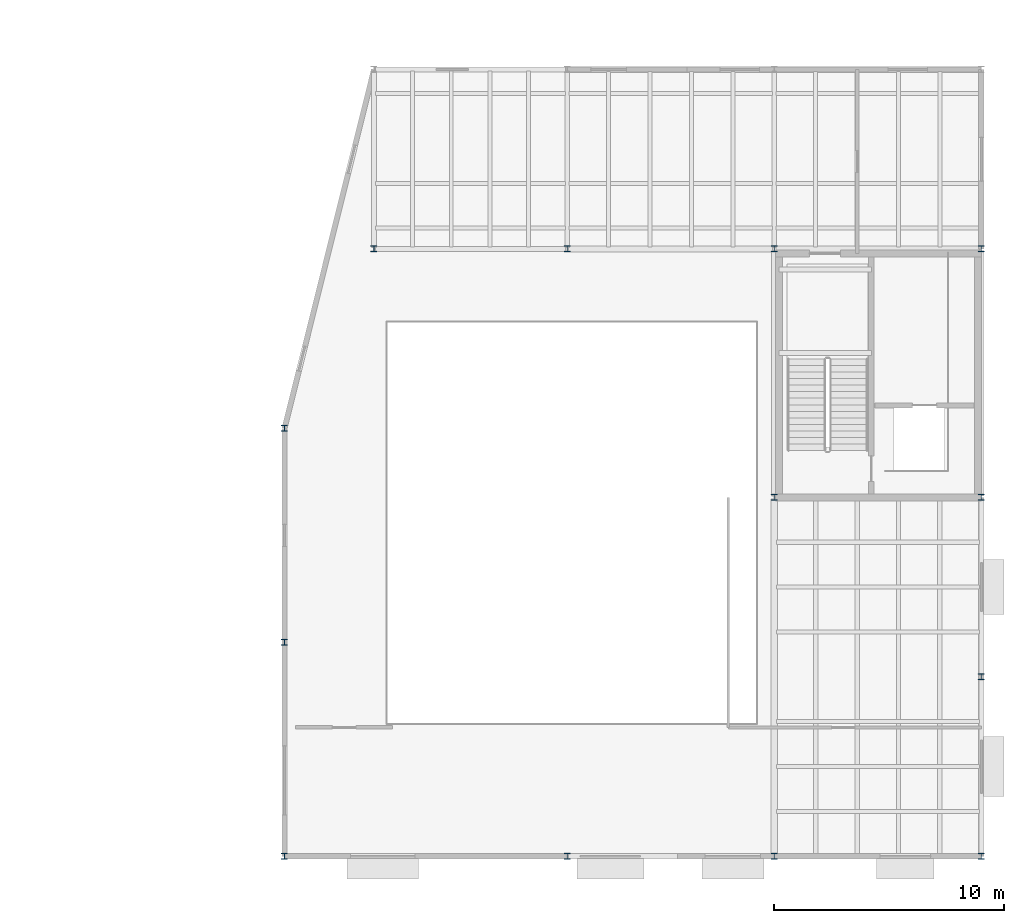
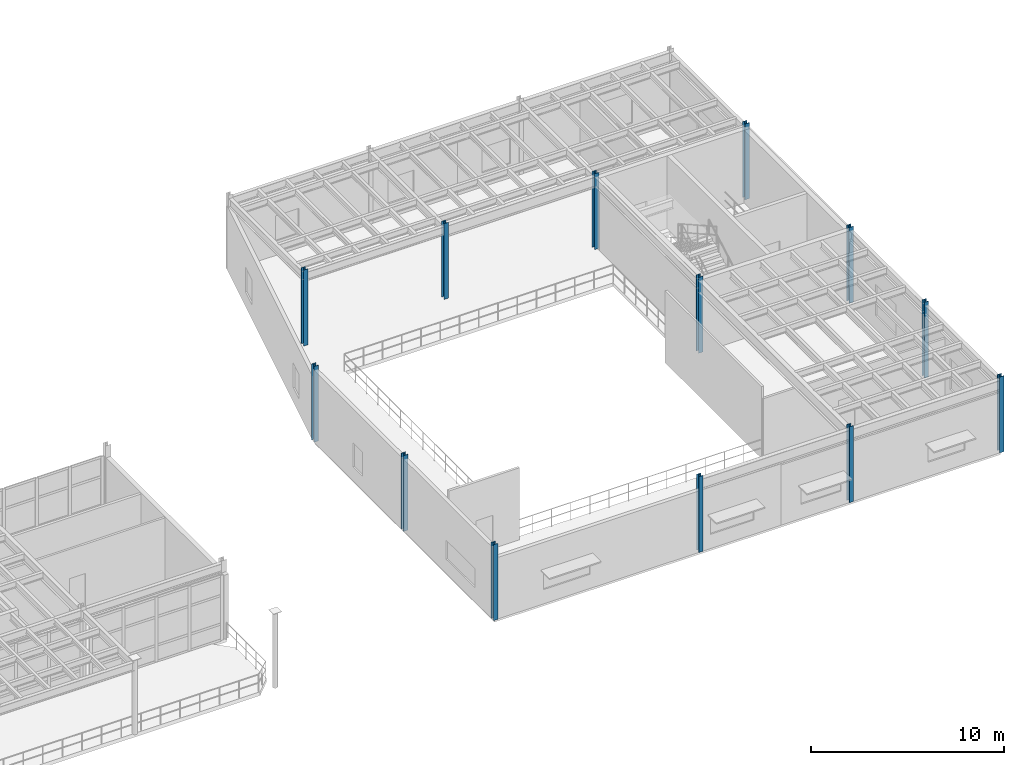
# One storey, part 14 of 105: 13 columns.
"""IFC4 building model written with IfcOpenShell, lengths in metres."""

from ifc_helpers import new_model, si_unit, direction, frame, origin, origin_2d, place, context, subcontext, project, spatial, i_section, extrude, material, material_profile, profile_set, type_object, element, save


model = new_model("IFC4")

# Units and contexts
model_context = context("Model", 3, precision=1e-05, world=origin(), true_north=direction((0.0, 1.0)))
body_context = subcontext(model_context, "Body", "Model", "MODEL_VIEW")
ifc_project = project(units=[si_unit("LENGTHUNIT", "METRE"), si_unit("AREAUNIT", "SQUARE_METRE"), si_unit("VOLUMEUNIT", "CUBIC_METRE"), si_unit("PLANEANGLEUNIT", "RADIAN"), si_unit("MASSUNIT", "GRAM", prefix="KILO")], contexts=[model_context])

# Site, building, storey
site_placement = place(None, origin())
site = spatial("IfcSite", under=ifc_project, at=site_placement, CompositionType="ELEMENT")
building_placement = place(site_placement, origin())
building = spatial("IfcBuilding", under=site, at=building_placement, Name="Selat Folded Stagehouse", CompositionType="ELEMENT")
storey_placement = place(building_placement, frame((0.0, 0.0, 10.199951171875)))
storey = spatial("IfcBuildingStorey", under=building, at=storey_placement, Name="L02", CompositionType="ELEMENT", Elevation=10.199951171875)

# Columns
ifc_material = material(Name="Steel S355", Category="steel")
ifc_material_profile = material_profile(ifc_material, i_section(OverallWidth=0.2587890625, OverallDepth=0.2666015625, WebThickness=0.0126953125, FlangeThickness=0.0205078125, FilletRadius=0.0126953125, at=origin_2d()), Name="UKC 254x254x107")
ifc_profile_set = profile_set([ifc_material_profile], Name="Steel S355")
column_type = type_object("IfcColumnType", Name="COL-UKC-254x254x107", PredefinedType="COLUMN", material=ifc_profile_set)
for number, where, z_axis, x_axis, name in (
    (1, (130.510498046875, 0.0, 0.0), (0.0, 0.0, 1.0), (1.0, 0.0, 0.0), "L02 column STK-V3-00"),
    (2, (130.510498046875, 9.300048828125, 0.0), (0.0, 0.0, 1.0), (1.0, 0.0, 0.0), "L02 column STK-V3-01"),
    (3, (130.510498046875, 18.60009765625, 0.0), (0.0, 0.0, 1.0), (1.0, 0.0, 0.0), "L02 column STK-V3-02"),
    (4, (134.39990234375, 26.39990234375, 0.0), (0.0, 0.0, 1.0), (1.0, 0.0, 0.0), "L02 column STK-V3-03"),
    (5, (142.800048828125, 0.0, 0.0), (0.0, 0.0, 1.0), (1.0, 0.0, 0.0), "L02 column STK-V3-05"),
    (6, (142.800048828125, 26.39990234375, 0.0), (0.0, 0.0, 1.0), (1.0, 0.0, 0.0), "L02 column STK-V3-06"),
    (7, (151.800048828125, 0.0, 0.0), (0.0, 0.0, 1.0), (1.0, 0.0, 0.0), "L02 column STK-V3-08"),
    (8, (151.800048828125, 15.60009765625, 0.0), (0.0, 0.0, 1.0), (1.0, 0.0, 0.0), "L02 column STK-V3-09"),
    (9, (151.800048828125, 26.39990234375, 0.0), (0.0, 0.0, 1.0), (1.0, 0.0, 0.0), "L02 column STK-V3-10"),
    (10, (160.800048828125, 0.0, 0.0), (0.0, 0.0, 1.0), (1.0, 0.0, 0.0), "L02 column STK-V3-12"),
    (11, (160.800048828125, 7.800048828125, 0.0), (0.0, 0.0, 1.0), (1.0, 0.0, 0.0), "L02 column STK-V3-13"),
    (12, (160.800048828125, 15.60009765625, 0.0), (0.0, 0.0, 1.0), (1.0, 0.0, 0.0), "L02 column STK-V3-14"),
    (13, (160.800048828125, 26.39990234375, 0.0), (0.0, 0.0, 1.0), (1.0, 0.0, 0.0), "L02 column STK-V3-15"),
):
    element("IfcColumn", number, at=place(storey_placement, frame(where, z_axis=z_axis, x_axis=x_axis)), inside=storey, type_object=column_type, Name=name, PredefinedType="COLUMN", context=body_context, shape_type="SweptSolid", body=[
        extrude(i_section(OverallWidth=0.2587890625, OverallDepth=0.2666015625, WebThickness=0.0126953125, FlangeThickness=0.0205078125, FilletRadius=0.0126953125, at=origin_2d()), origin(), (0.0, 0.0, 1.0), 4.800048828125),
    ])

save(model, "model.ifc")
